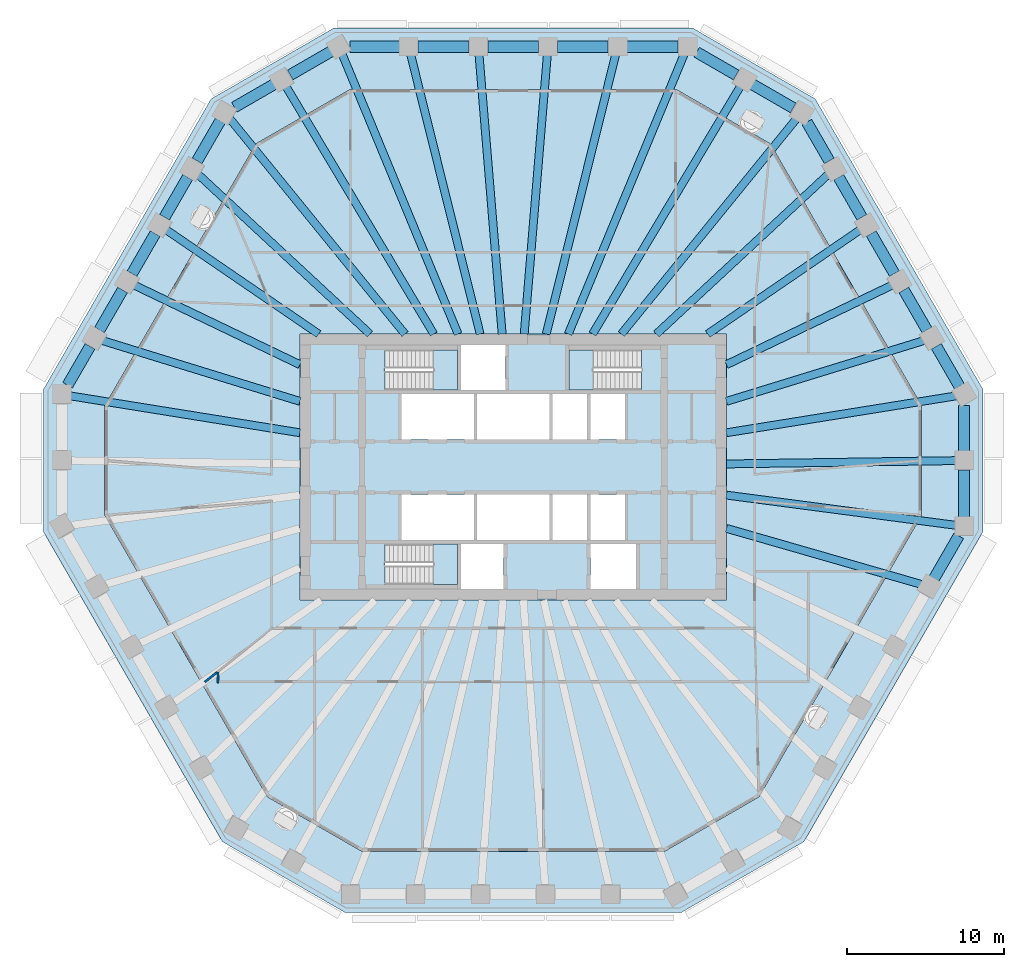
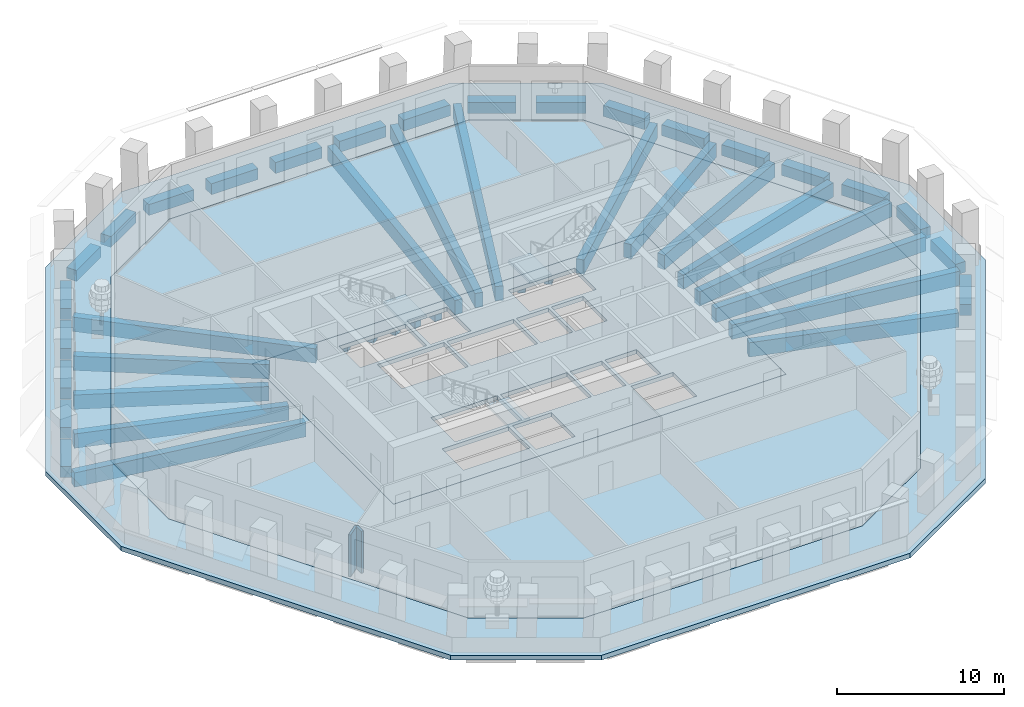
# One storey, part 2 of 12: 45 beams, 6 slabs, 2 walls, 3 elements without a shape of their own.
"""IFC4 building model written with IfcOpenShell, lengths in metres."""

from ifc_helpers import new_model, si_unit, direction, frame, frame_2d, origin, origin_2d, place, context, subcontext, project, spatial, polyline, rectangle, outline, extrude, material, layer, layer_set, material_profile, profile_set, type_object, element, aggregate, save


model = new_model("IFC4")

# Units and contexts
model_context = context("Model", 3, precision=1e-05, world=origin(), true_north=direction((0.0, 1.0)))
body_context = subcontext(model_context, "Body", "Model", "MODEL_VIEW")
ifc_project = project(units=[si_unit("LENGTHUNIT", "METRE"), si_unit("AREAUNIT", "SQUARE_METRE"), si_unit("VOLUMEUNIT", "CUBIC_METRE"), si_unit("PLANEANGLEUNIT", "RADIAN"), si_unit("MASSUNIT", "GRAM", prefix="KILO")], contexts=[model_context])

# Site, building, storey
site_placement = place(None, origin())
site = spatial("IfcSite", under=ifc_project, at=site_placement, CompositionType="ELEMENT")
building_placement = place(site_placement, origin())
building = spatial("IfcBuilding", under=site, at=building_placement, Name="Frailejon Research Tower", CompositionType="ELEMENT")
storey_placement = place(building_placement, frame((0.0, 0.0, 158.39990234375)))
storey = spatial("IfcBuildingStorey", under=building, at=storey_placement, Name="L34", CompositionType="ELEMENT", Elevation=158.39990234375)

# Beams
ifc_material_1 = material(Name="Concrete C60/75", Category="concrete")
ifc_material_profile_1 = material_profile(ifc_material_1, rectangle(XDim=0.5, YDim=1.050048828125, at=origin_2d()), Name="Girder 500x1050")
ifc_profile_set_1 = profile_set([ifc_material_profile_1], Name="Concrete C60/75")
beam_type_1 = type_object("IfcBeamType", Name="Girder 500x1050", PredefinedType="BEAM", material=ifc_profile_set_1)
beam_1_placement = place(storey_placement, frame((28.200927734375, -3.71337890625, -0.824951171875), z_axis=(-0.991441582167, 0.130551097855, 0.0), x_axis=(-0.130551097855, -0.991441582167, 0.0)))
element("IfcBeam", 1, at=beam_1_placement, inside=storey, type_object=beam_type_1, Name="Girder 500x1050", PredefinedType="BEAM", context=body_context, shape_type="SweptSolid", body=[
    extrude(rectangle(XDim=0.5, YDim=1.050048828125, at=origin_2d()), origin(), (0.0, 0.0, 1.0), 14.77734375),
])
beam_2_placement = place(storey_placement, frame((28.202392578125, 0.408203125, -0.824951171875), z_axis=(-0.999895429969, -0.014461297541, 0.0), x_axis=(0.014461297541, -0.999895429969, 0.0)))
element("IfcBeam", 2, at=beam_2_placement, inside=storey, type_object=beam_type_1, Name="Girder 500x1050", PredefinedType="BEAM", context=body_context, shape_type="SweptSolid", body=[
    extrude(rectangle(XDim=0.5, YDim=1.050048828125, at=origin_2d()), origin(), (0.0, 0.0, 1.0), 14.65380859375),
])
beam_3_placement = place(storey_placement, frame((28.16650390625, 4.5244140625, -0.824951171875), z_axis=(-0.98734277934, -0.158600870382, 0.0), x_axis=(0.158600870382, -0.98734277934, 0.0)))
element("IfcBeam", 3, at=beam_3_placement, inside=storey, type_object=beam_type_1, Name="Girder 500x1050", PredefinedType="BEAM", context=body_context, shape_type="SweptSolid", body=[
    extrude(rectangle(XDim=0.5, YDim=1.050048828125, at=origin_2d()), origin(), (0.0, 0.0, 1.0), 14.8037109375),
])
beam_4_placement = place(storey_placement, frame((26.139404296875, 8.04736328125, -0.824951171875), z_axis=(-0.955734515711, -0.294230412227, 0.0), x_axis=(0.294230412227, -0.955734515711, 0.0)))
element("IfcBeam", 4, at=beam_4_placement, inside=storey, type_object=beam_type_1, Name="Girder 500x1050", PredefinedType="BEAM", context=body_context, shape_type="SweptSolid", body=[
    extrude(rectangle(XDim=0.5, YDim=1.050048828125, at=origin_2d()), origin(), (0.0, 0.0, 1.0), 13.17236328125),
])
beam_5_placement = place(storey_placement, frame((24.10888671875, 11.57080078125, -0.824951171875), z_axis=(-0.901543549484, -0.432688373295, 0.0), x_axis=(0.432688373295, -0.901543549484, 0.0)))
element("IfcBeam", 5, at=beam_5_placement, inside=storey, type_object=beam_type_1, Name="Girder 500x1050", PredefinedType="BEAM", context=body_context, shape_type="SweptSolid", body=[
    extrude(rectangle(XDim=0.5, YDim=1.050048828125, at=origin_2d()), origin(), (0.0, 0.0, 1.0), 11.7119140625),
])
beam_6_placement = place(storey_placement, frame((22.0751953125, 15.093505859375, -0.824951171875), z_axis=(-0.825489860442, -0.564416947218, 0.0), x_axis=(0.564416947218, -0.825489860442, 0.0)))
element("IfcBeam", 6, at=beam_6_placement, inside=storey, type_object=beam_type_1, Name="Girder 500x1050", PredefinedType="BEAM", context=body_context, shape_type="SweptSolid", body=[
    extrude(rectangle(XDim=0.5, YDim=1.050048828125, at=origin_2d()), origin(), (0.0, 0.0, 1.0), 11.770751953125),
])
beam_7_placement = place(storey_placement, frame((20.038818359375, 18.613525390625, -0.824951171875), z_axis=(-0.732677610283, -0.680575873353, 0.0), x_axis=(0.680575873353, -0.732677610283, 0.0)))
element("IfcBeam", 7, at=beam_7_placement, inside=storey, type_object=beam_type_1, Name="Girder 500x1050", PredefinedType="BEAM", context=body_context, shape_type="SweptSolid", body=[
    extrude(rectangle(XDim=0.5, YDim=1.050048828125, at=origin_2d()), origin(), (0.0, 0.0, 1.0), 14.933837890625),
])
beam_8_placement = place(storey_placement, frame((18.023193359375, 22.1572265625, -0.824951171875), z_axis=(-0.631026870888, -0.775760973637, 0.0), x_axis=(0.775760973637, -0.631026870888, 0.0)))
element("IfcBeam", 8, at=beam_8_placement, inside=storey, type_object=beam_type_1, Name="Girder 500x1050", PredefinedType="BEAM", context=body_context, shape_type="SweptSolid", body=[
    extrude(rectangle(XDim=0.5, YDim=1.050048828125, at=origin_2d()), origin(), (0.0, 0.0, 1.0), 17.66943359375),
])
beam_9_placement = place(storey_placement, frame((14.45458984375, 24.2197265625, -0.824951171875), z_axis=(-0.512472846151, -0.858703430736, 0.0), x_axis=(0.858703430736, -0.512472846151, 0.0)))
element("IfcBeam", 9, at=beam_9_placement, inside=storey, type_object=beam_type_1, Name="Girder 500x1050", PredefinedType="BEAM", context=body_context, shape_type="SweptSolid", body=[
    extrude(rectangle(XDim=0.5, YDim=1.050048828125, at=origin_2d()), origin(), (0.0, 0.0, 1.0), 18.36474609375),
])
beam_10_placement = place(storey_placement, frame((10.867919921875, 26.238525390625, -0.824951171875), z_axis=(-0.382667970762, -0.923885936765, 0.0), x_axis=(0.923885936765, -0.382667970762, 0.0)))
element("IfcBeam", 10, at=beam_10_placement, inside=storey, type_object=beam_type_1, Name="Girder 500x1050", PredefinedType="BEAM", context=body_context, shape_type="SweptSolid", body=[
    extrude(rectangle(XDim=0.5, YDim=1.050048828125, at=origin_2d()), origin(), (0.0, 0.0, 1.0), 19.254150390625),
])
beam_11_placement = place(storey_placement, frame((6.5224609375, 26.24560546875, -0.824951171875), z_axis=(-0.241185182304, -0.97047911252, 0.0), x_axis=(0.97047911252, -0.241185182304, 0.0)))
element("IfcBeam", 11, at=beam_11_placement, inside=storey, type_object=beam_type_1, Name="Girder 500x1050", PredefinedType="BEAM", context=body_context, shape_type="SweptSolid", body=[
    extrude(rectangle(XDim=0.5, YDim=1.050048828125, at=origin_2d()), origin(), (0.0, 0.0, 1.0), 18.3369140625),
])
for number, where, z_axis, x_axis, name in (
    (12, (2.174560546875, 26.24951171875, -0.824951171875), (-0.08256242617, -0.996585894835, 0.0), (0.996585894835, -0.08256242617, 0.0), "Girder 500x1050"),
    (13, (-2.174560546875, 26.24951171875, -0.824951171875), (0.08256242617, -0.996585894835, 0.0), (0.996585894835, 0.08256242617, 0.0), "Girder 500x1050"),
):
    element("IfcBeam", number, at=place(storey_placement, frame(where, z_axis=z_axis, x_axis=x_axis)), inside=storey, type_object=beam_type_1, Name=name, PredefinedType="BEAM", context=body_context, shape_type="SweptSolid", body=[
        extrude(rectangle(XDim=0.5, YDim=1.050048828125, at=origin_2d()), origin(), (0.0, 0.0, 1.0), 17.860595703125),
    ])
beam_12_placement = place(storey_placement, frame((-6.5224609375, 26.24560546875, -0.824951171875), z_axis=(0.241185182304, -0.97047911252, 0.0), x_axis=(0.97047911252, 0.241185182304, 0.0)))
element("IfcBeam", 14, at=beam_12_placement, inside=storey, type_object=beam_type_1, Name="Girder 500x1050", PredefinedType="BEAM", context=body_context, shape_type="SweptSolid", body=[
    extrude(rectangle(XDim=0.5, YDim=1.050048828125, at=origin_2d()), origin(), (0.0, 0.0, 1.0), 18.3369140625),
])
beam_13_placement = place(storey_placement, frame((-10.884765625, 26.279541015625, -0.824951171875), z_axis=(0.382661658239, -0.923888551349, 0.0), x_axis=(0.923888551349, 0.382661658239, 0.0)))
element("IfcBeam", 15, at=beam_13_placement, inside=storey, type_object=beam_type_1, Name="Girder 500x1050", PredefinedType="BEAM", context=body_context, shape_type="SweptSolid", body=[
    extrude(rectangle(XDim=0.5, YDim=1.050048828125, at=origin_2d()), origin(), (0.0, 0.0, 1.0), 19.29833984375),
])
beam_14_placement = place(storey_placement, frame((-14.45458984375, 24.2197265625, -0.824951171875), z_axis=(0.512472846151, -0.858703430736, 0.0), x_axis=(0.858703430736, 0.512472846151, 0.0)))
element("IfcBeam", 16, at=beam_14_placement, inside=storey, type_object=beam_type_1, Name="Girder 500x1050", PredefinedType="BEAM", context=body_context, shape_type="SweptSolid", body=[
    extrude(rectangle(XDim=0.5, YDim=1.050048828125, at=origin_2d()), origin(), (0.0, 0.0, 1.0), 18.36474609375),
])
beam_15_placement = place(storey_placement, frame((-18.001220703125, 22.130615234375, -0.824951171875), z_axis=(0.631015738451, -0.775770028957, 0.0), x_axis=(0.775770028957, 0.631015738451, 0.0)))
element("IfcBeam", 17, at=beam_15_placement, inside=storey, type_object=beam_type_1, Name="Girder 500x1050", PredefinedType="BEAM", context=body_context, shape_type="SweptSolid", body=[
    extrude(rectangle(XDim=0.5, YDim=1.050048828125, at=origin_2d()), origin(), (0.0, 0.0, 1.0), 17.635009765625),
])
beam_16_placement = place(storey_placement, frame((-20.038818359375, 18.613525390625, -0.824951171875), z_axis=(0.732677610283, -0.680575873353, 0.0), x_axis=(0.680575873353, 0.732677610283, 0.0)))
element("IfcBeam", 18, at=beam_16_placement, inside=storey, type_object=beam_type_1, Name="Girder 500x1050", PredefinedType="BEAM", context=body_context, shape_type="SweptSolid", body=[
    extrude(rectangle(XDim=0.5, YDim=1.050048828125, at=origin_2d()), origin(), (0.0, 0.0, 1.0), 14.933837890625),
])
beam_17_placement = place(storey_placement, frame((-22.0751953125, 15.093505859375, -0.824951171875), z_axis=(0.825489860442, -0.564416947218, 0.0), x_axis=(0.564416947218, 0.825489860442, 0.0)))
element("IfcBeam", 19, at=beam_17_placement, inside=storey, type_object=beam_type_1, Name="Girder 500x1050", PredefinedType="BEAM", context=body_context, shape_type="SweptSolid", body=[
    extrude(rectangle(XDim=0.5, YDim=1.050048828125, at=origin_2d()), origin(), (0.0, 0.0, 1.0), 11.770751953125),
])
beam_18_placement = place(storey_placement, frame((-24.10888671875, 11.57080078125, -0.824951171875), z_axis=(0.901543549484, -0.432688373295, 0.0), x_axis=(0.432688373295, 0.901543549484, 0.0)))
element("IfcBeam", 20, at=beam_18_placement, inside=storey, type_object=beam_type_1, Name="Girder 500x1050", PredefinedType="BEAM", context=body_context, shape_type="SweptSolid", body=[
    extrude(rectangle(XDim=0.5, YDim=1.050048828125, at=origin_2d()), origin(), (0.0, 0.0, 1.0), 11.7119140625),
])
beam_19_placement = place(storey_placement, frame((-26.139404296875, 8.04736328125, -0.824951171875), z_axis=(0.955734515711, -0.294230412227, 0.0), x_axis=(0.294230412227, 0.955734515711, 0.0)))
element("IfcBeam", 21, at=beam_19_placement, inside=storey, type_object=beam_type_1, Name="Girder 500x1050", PredefinedType="BEAM", context=body_context, shape_type="SweptSolid", body=[
    extrude(rectangle(XDim=0.5, YDim=1.050048828125, at=origin_2d()), origin(), (0.0, 0.0, 1.0), 13.17236328125),
])
beam_20_placement = place(storey_placement, frame((-28.200439453125, 4.52978515625, -0.824951171875), z_axis=(0.987343624765, -0.158595607238, 0.0), x_axis=(0.158595607238, 0.987343624765, 0.0)))
element("IfcBeam", 22, at=beam_20_placement, inside=storey, type_object=beam_type_1, Name="Girder 500x1050", PredefinedType="BEAM", context=body_context, shape_type="SweptSolid", body=[
    extrude(rectangle(XDim=0.5, YDim=1.050048828125, at=origin_2d()), origin(), (0.0, 0.0, 1.0), 14.838134765625),
])
beam_21_placement = place(storey_placement, frame((25.990478515625, -7.47412109375, -0.824951171875), z_axis=(-0.961048516435, 0.27637971897, 0.0), x_axis=(-0.27637971897, -0.961048516435, 0.0)))
element("IfcBeam", 23, at=beam_21_placement, inside=storey, type_object=beam_type_1, Name="Girder 500x1050", PredefinedType="BEAM", context=body_context, shape_type="SweptSolid", body=[
    extrude(rectangle(XDim=0.5, YDim=1.050048828125, at=origin_2d()), origin(), (0.0, 0.0, 1.0), 12.944580078125),
])
ifc_material_2 = material(Name="Concrete C60/75", Category="concrete")
ifc_material_profile_2 = material_profile(ifc_material_2, rectangle(XDim=0.699951171875, YDim=0.800048828125, at=origin_2d()), Name="Spandrel 700x800")
ifc_profile_set_2 = profile_set([ifc_material_profile_2], Name="Concrete C60/75")
beam_type_2 = type_object("IfcBeamType", Name="Spandrel 700x800", PredefinedType="BEAM", material=ifc_profile_set_2)
beam_22_placement = place(storey_placement, frame((28.65234375, -3.172607421875, -0.75), z_axis=(0.0, 1.0, 0.0), x_axis=(-1.0, 0.0, 0.0)))
element("IfcBeam", 24, at=beam_22_placement, inside=storey, type_object=beam_type_2, Name="Spandrel 700x800", PredefinedType="BEAM", context=body_context, shape_type="SweptSolid", body=[
    extrude(rectangle(XDim=0.699951171875, YDim=0.800048828125, at=origin_2d()), origin(), (0.0, 0.0, 1.0), 2.9873046875),
])
beam_23_placement = place(storey_placement, frame((28.65234375, 1.014892578125, -0.75), z_axis=(0.0, 1.0, 0.0), x_axis=(-1.0, 0.0, 0.0)))
element("IfcBeam", 25, at=beam_23_placement, inside=storey, type_object=beam_type_2, Name="Spandrel 700x800", PredefinedType="BEAM", context=body_context, shape_type="SweptSolid", body=[
    extrude(rectangle(XDim=0.699951171875, YDim=0.800048828125, at=origin_2d()), origin(), (0.0, 0.0, 1.0), 2.894775390625),
])
for number, where, z_axis, x_axis, name in (
    (26, (28.352294921875, 5.1220703125, -0.75), (-0.499993573143, 0.8660291143, 0.0), (-0.8660291143, -0.499993573143, 0.0), "Spandrel 700x800"),
    (27, (26.2841796875, 8.7041015625, -0.75), (-0.499993573143, 0.8660291143, 0.0), (-0.8660291143, -0.499993573143, 0.0), "Spandrel 700x800"),
):
    element("IfcBeam", number, at=place(storey_placement, frame(where, z_axis=z_axis, x_axis=x_axis)), inside=storey, type_object=beam_type_2, Name=name, PredefinedType="BEAM", context=body_context, shape_type="SweptSolid", body=[
        extrude(rectangle(XDim=0.699951171875, YDim=0.800048828125, at=origin_2d()), origin(), (0.0, 0.0, 1.0), 2.93603515625),
    ])
for number, where, z_axis, x_axis, name in (
    (28, (24.21630859375, 12.285888671875, -0.75), (-0.50001992892, 0.866013897511, 0.0), (-0.866013897511, -0.50001992892, 0.0), "Spandrel 700x800"),
    (29, (22.148193359375, 15.867919921875, -0.75), (-0.50001992892, 0.866013897511, 0.0), (-0.866013897511, -0.50001992892, 0.0), "Spandrel 700x800"),
):
    element("IfcBeam", number, at=place(storey_placement, frame(where, z_axis=z_axis, x_axis=x_axis)), inside=storey, type_object=beam_type_2, Name=name, PredefinedType="BEAM", context=body_context, shape_type="SweptSolid", body=[
        extrude(rectangle(XDim=0.699951171875, YDim=0.800048828125, at=origin_2d()), origin(), (0.0, 0.0, 1.0), 2.9365234375),
    ])
beam_24_placement = place(storey_placement, frame((20.080078125, 19.449951171875, -0.75), z_axis=(-0.500054425327, 0.865993979027, 0.0), x_axis=(-0.865993979027, -0.500054425327, 0.0)))
element("IfcBeam", 30, at=beam_24_placement, inside=storey, type_object=beam_type_2, Name="Spandrel 700x800", PredefinedType="BEAM", context=body_context, shape_type="SweptSolid", body=[
    extrude(rectangle(XDim=0.699951171875, YDim=0.800048828125, at=origin_2d()), origin(), (0.0, 0.0, 1.0), 2.843505859375),
])
beam_25_placement = place(storey_placement, frame((17.792236328125, 22.8125, -0.75), z_axis=(-0.86603180189, 0.499988917992, 0.0), x_axis=(-0.499988917992, -0.86603180189, 0.0)))
element("IfcBeam", 31, at=beam_25_placement, inside=storey, type_object=beam_type_2, Name="Spandrel 700x800", PredefinedType="BEAM", context=body_context, shape_type="SweptSolid", body=[
    extrude(rectangle(XDim=0.699951171875, YDim=0.800048828125, at=origin_2d()), origin(), (0.0, 0.0, 1.0), 2.9873046875),
])
beam_26_placement = place(storey_placement, frame((14.165771484375, 24.90625, -0.75), z_axis=(-0.866033897268, 0.499985288567, 0.0), x_axis=(-0.499985288567, -0.866033897268, 0.0)))
element("IfcBeam", 32, at=beam_26_placement, inside=storey, type_object=beam_type_2, Name="Spandrel 700x800", PredefinedType="BEAM", context=body_context, shape_type="SweptSolid", body=[
    extrude(rectangle(XDim=0.699951171875, YDim=0.800048828125, at=origin_2d()), origin(), (0.0, 0.0, 1.0), 2.89453125),
])
for number, where, z_axis, x_axis, name in (
    (33, (10.458984375, 26.699951171875, -0.75), (-1.0, 0.0, 0.0), (0.0, -1.0, 0.0), "Spandrel 700x800"),
    (34, (6.035400390625, 26.699951171875, -0.75), (-1.0, 0.0, 0.0), (0.0, -1.0, 0.0), "Spandrel 700x800"),
    (35, (1.61181640625, 26.699951171875, -0.75), (-1.0, 0.0, 0.0), (0.0, -1.0, 0.0), "Spandrel 700x800"),
    (36, (-2.811767578125, 26.699951171875, -0.75), (-1.0, 0.0, 0.0), (0.0, -1.0, 0.0), "Spandrel 700x800"),
):
    element("IfcBeam", number, at=place(storey_placement, frame(where, z_axis=z_axis, x_axis=x_axis)), inside=storey, type_object=beam_type_2, Name=name, PredefinedType="BEAM", context=body_context, shape_type="SweptSolid", body=[
        extrude(rectangle(XDim=0.699951171875, YDim=0.800048828125, at=origin_2d()), origin(), (0.0, 0.0, 1.0), 3.2236328125),
    ])
beam_27_placement = place(storey_placement, frame((-7.2353515625, 26.699951171875, -0.75), z_axis=(-1.0, 0.0, 0.0), x_axis=(0.0, -1.0, 0.0)))
element("IfcBeam", 37, at=beam_27_placement, inside=storey, type_object=beam_type_2, Name="Spandrel 700x800", PredefinedType="BEAM", context=body_context, shape_type="SweptSolid", body=[
    extrude(rectangle(XDim=0.699951171875, YDim=0.800048828125, at=origin_2d()), origin(), (0.0, 0.0, 1.0), 3.130859375),
])
beam_28_placement = place(storey_placement, frame((-11.57861328125, 26.39990234375, -0.75), z_axis=(-0.86603180189, -0.499988917992, 0.0), x_axis=(0.499988917992, -0.86603180189, 0.0)))
element("IfcBeam", 38, at=beam_28_placement, inside=storey, type_object=beam_type_2, Name="Spandrel 700x800", PredefinedType="BEAM", context=body_context, shape_type="SweptSolid", body=[
    extrude(rectangle(XDim=0.699951171875, YDim=0.800048828125, at=origin_2d()), origin(), (0.0, 0.0, 1.0), 2.9873046875),
])
beam_29_placement = place(storey_placement, frame((-15.205078125, 24.30615234375, -0.75), z_axis=(-0.866033897268, -0.499985288567, 0.0), x_axis=(0.499985288567, -0.866033897268, 0.0)))
element("IfcBeam", 39, at=beam_29_placement, inside=storey, type_object=beam_type_2, Name="Spandrel 700x800", PredefinedType="BEAM", context=body_context, shape_type="SweptSolid", body=[
    extrude(rectangle(XDim=0.699951171875, YDim=0.800048828125, at=origin_2d()), origin(), (0.0, 0.0, 1.0), 2.89453125),
])
for number, where, z_axis, x_axis, name in (
    (40, (-18.61181640625, 21.992919921875, -0.75), (-0.50001992892, -0.866013897511, 0.0), (0.866013897511, -0.50001992892, 0.0), "Spandrel 700x800"),
    (41, (-20.679931640625, 18.410888671875, -0.75), (-0.50001992892, -0.866013897511, 0.0), (0.866013897511, -0.50001992892, 0.0), "Spandrel 700x800"),
    (42, (-22.748046875, 14.828857421875, -0.75), (-0.50001992892, -0.866013897511, 0.0), (0.866013897511, -0.50001992892, 0.0), "Spandrel 700x800"),
):
    element("IfcBeam", number, at=place(storey_placement, frame(where, z_axis=z_axis, x_axis=x_axis)), inside=storey, type_object=beam_type_2, Name=name, PredefinedType="BEAM", context=body_context, shape_type="SweptSolid", body=[
        extrude(rectangle(XDim=0.699951171875, YDim=0.800048828125, at=origin_2d()), origin(), (0.0, 0.0, 1.0), 2.9365234375),
    ])
beam_30_placement = place(storey_placement, frame((-24.816162109375, 11.246826171875, -0.75), z_axis=(-0.499993573143, -0.8660291143, 0.0), x_axis=(0.8660291143, -0.499993573143, 0.0)))
element("IfcBeam", 43, at=beam_30_placement, inside=storey, type_object=beam_type_2, Name="Spandrel 700x800", PredefinedType="BEAM", context=body_context, shape_type="SweptSolid", body=[
    extrude(rectangle(XDim=0.699951171875, YDim=0.800048828125, at=origin_2d()), origin(), (0.0, 0.0, 1.0), 2.93603515625),
])
beam_31_placement = place(storey_placement, frame((-26.88427734375, 7.664794921875, -0.75), z_axis=(-0.499990030109, -0.866031159827, 0.0), x_axis=(0.866031159827, -0.499990030109, 0.0)))
element("IfcBeam", 44, at=beam_31_placement, inside=storey, type_object=beam_type_2, Name="Spandrel 700x800", PredefinedType="BEAM", context=body_context, shape_type="SweptSolid", body=[
    extrude(rectangle(XDim=0.699951171875, YDim=0.800048828125, at=origin_2d()), origin(), (0.0, 0.0, 1.0), 2.84326171875),
])
beam_32_placement = place(storey_placement, frame((26.740478515625, -7.083984375, -0.75), z_axis=(0.500030720965, 0.8660076663, 0.0), x_axis=(-0.8660076663, 0.500030720965, 0.0)))
element("IfcBeam", 45, at=beam_32_placement, inside=storey, type_object=beam_type_2, Name="Spandrel 700x800", PredefinedType="BEAM", context=body_context, shape_type="SweptSolid", body=[
    extrude(rectangle(XDim=0.699951171875, YDim=0.800048828125, at=origin_2d()), origin(), (0.0, 0.0, 1.0), 3.130615234375),
])

# Slabs
ifc_material_3 = material(Name="Concrete C60/75", Category="concrete")
ifc_layer_1 = layer(ifc_material_3, 0.300048828125)
ifc_layer_set_1 = layer_set([ifc_layer_1], Name="Core floor slab 300 C60/75")
slab_type_1 = type_object("IfcSlabType", Name="Core floor slab 300 C60/75", PredefinedType="FLOOR", material=ifc_layer_set_1)
slab_1_placement = place(storey_placement, frame((0.0, 0.0, -0.2998046875)))
element("IfcSlab", 46, at=slab_1_placement, inside=storey, type_object=slab_type_1, Name="Core floor slab", PredefinedType="FLOOR", context=body_context, shape_type="SweptSolid", body=[
    extrude(outline(polyline([(13.550048828125, -8.449951171875), (13.550048828125, 8.449951171875), (-13.550048828125, 8.449951171875), (-13.550048828125, -8.449951171875), (13.550048828125, -8.449951171875)]), holes=[polyline([(-2.5, 1.75), (-2.5, 4.64990234375), (-7.10009765625, 4.64990234375), (-7.10009765625, 1.75), (-2.5, 1.75)]), polyline([(2.300048828125, 1.75), (2.300048828125, 4.64990234375), (-2.300048828125, 4.64990234375), (-2.300048828125, 1.75), (2.300048828125, 1.75)]), polyline([(4.699951171875, 1.75), (4.699951171875, 4.64990234375), (2.5, 4.64990234375), (2.5, 1.75), (4.699951171875, 1.75)]), polyline([(7.10009765625, 1.75), (7.10009765625, 4.64990234375), (4.89990234375, 4.64990234375), (4.89990234375, 1.75), (7.10009765625, 1.75)]), polyline([(-2.5, -4.64990234375), (-2.5, -1.75), (-7.10009765625, -1.75), (-7.10009765625, -4.64990234375), (-2.5, -4.64990234375)]), polyline([(2.300048828125, -4.64990234375), (2.300048828125, -1.75), (-2.300048828125, -1.75), (-2.300048828125, -4.64990234375), (2.300048828125, -4.64990234375)]), polyline([(4.699951171875, -4.64990234375), (4.699951171875, -1.75), (2.5, -1.75), (2.5, -4.64990234375), (4.699951171875, -4.64990234375)]), polyline([(7.10009765625, -4.64990234375), (7.10009765625, -1.75), (4.89990234375, -1.75), (4.89990234375, -4.64990234375), (7.10009765625, -4.64990234375)]), polyline([(-8.14697265625, 4.89990234375), (-3.550048828125, 4.89990234375), (-3.550048828125, 7.449951171875), (-8.14697265625, 7.449951171875), (-8.14697265625, 4.89990234375)]), polyline([(-8.14697265625, -7.449951171875), (-3.550048828125, -7.449951171875), (-3.550048828125, -4.89990234375), (-8.14697265625, -4.89990234375), (-8.14697265625, -7.449951171875)]), polyline([(8.14697265625, 7.449951171875), (3.550048828125, 7.449951171875), (3.550048828125, 4.89990234375), (8.14697265625, 4.89990234375), (8.14697265625, 7.449951171875)]), polyline([(-0.60009765625, -7.75), (-0.60009765625, -4.89990234375), (-3.300048828125, -4.89990234375), (-3.300048828125, -7.75), (-0.60009765625, -7.75)]), polyline([(7.800048828125, -7.75), (7.800048828125, -4.89990234375), (4.89990234375, -4.89990234375), (4.89990234375, -7.75), (7.800048828125, -7.75)]), polyline([(-0.5, 4.89990234375), (-0.5, 7.75), (-3.300048828125, 7.75), (-3.300048828125, 4.89990234375), (-0.5, 4.89990234375)])]), origin(), (0.0, 0.0, 1.0), 0.2998046875),
])
ifc_material_4 = material(Name="Concrete C40/50", Category="concrete")
ifc_layer_2 = layer(ifc_material_4, 0.35009765625)
ifc_layer_set_2 = layer_set([ifc_layer_2], Name="Loggia slab 350")
slab_type_2 = type_object("IfcSlabType", Name="Loggia slab 350", PredefinedType="USERDEFINED", material=ifc_layer_set_2)
slab_2_placement = place(storey_placement, frame((0.0, 0.0, -0.349853515625)))
element("IfcSlab", 47, at=slab_2_placement, inside=storey, type_object=slab_type_2, Name="Loggia slab L34", ObjectType="LOGGIA", PredefinedType="USERDEFINED", context=body_context, shape_type="SweptSolid", body=[
    extrude(outline(polyline([(18.471923828125, -23.8056640625), (10.661865234375, -28.314697265625), (-10.661865234375, -28.314697265625), (-18.471923828125, -23.8056640625), (-29.852294921875, -4.09423828125), (-29.852294921875, 4.923828125), (-19.1904296875, 23.390869140625), (-11.38037109375, 27.89990234375), (11.38037109375, 27.89990234375), (19.1904296875, 23.390869140625), (29.852294921875, 4.923828125), (29.852294921875, -4.09423828125), (18.471923828125, -23.8056640625)]), holes=[polyline([(25.952392578125, 3.87890625), (16.33544921875, 20.535888671875), (10.33544921875, 24.0), (-10.33544921875, 24.0), (-16.33544921875, 20.535888671875), (-25.952392578125, 3.87890625), (-25.952392578125, -3.04931640625), (-15.616943359375, -20.95068359375), (-9.616943359375, -24.414794921875), (9.616943359375, -24.414794921875), (15.616943359375, -20.95068359375), (25.952392578125, -3.04931640625), (25.952392578125, 3.87890625)])]), origin(), (0.0, 0.0, 1.0), 0.349853515625),
])
ifc_material_5 = material(Name="Concrete C40/50", Category="concrete")
ifc_layer_3 = layer(ifc_material_5, 0.300048828125)
ifc_layer_set_3 = layer_set([ifc_layer_3], Name="Slab typical 300")
slab_type_3 = type_object("IfcSlabType", Name="Slab typical 300", PredefinedType="FLOOR", material=ifc_layer_set_3)
slab_3_placement = place(storey_placement, frame((0.0, 0.0, -0.2998046875)))
element("IfcSlab", 48, at=slab_3_placement, inside=storey, type_object=slab_type_3, Name="Floor slab L34", PredefinedType="FLOOR", context=body_context, shape_type="SweptSolid", body=[
    extrude(outline(polyline([(25.952392578125, -3.04931640625), (25.952392578125, 3.87890625), (16.33544921875, 20.535888671875), (10.33544921875, 24.0), (-10.33544921875, 24.0), (-16.33544921875, 20.535888671875), (-25.952392578125, 3.87890625), (-25.952392578125, -3.04931640625), (-15.616943359375, -20.95068359375), (-9.616943359375, -24.414794921875), (9.616943359375, -24.414794921875), (15.616943359375, -20.95068359375), (25.952392578125, -3.04931640625)]), holes=[polyline([(13.550048828125, -8.449951171875), (-13.550048828125, -8.449951171875), (-13.550048828125, 8.449951171875), (13.550048828125, 8.449951171875), (13.550048828125, -8.449951171875)])]), origin(), (0.0, 0.0, 1.0), 0.2998046875),
])

# Stair, slab
ifc_material_6 = material(Name="Concrete C50/60", Category="concrete")
stair_type = type_object("IfcStairType", Name="Exit stair 24 risers", PredefinedType="HALF_TURN_STAIR", material=ifc_material_6)
stair_1_placement = place(storey_placement, origin())
stair_1 = element("IfcStair", 49, at=stair_1_placement, inside=storey, type_object=stair_type, Name="L34 Exit stair ST1", PredefinedType="HALF_TURN_STAIR")
ifc_material_7 = material(Name="Concrete C50/60", Category="concrete")
ifc_layer_4 = layer(ifc_material_7, 0.199951171875)
ifc_layer_set_4 = layer_set([ifc_layer_4], Name="Stair landing slab 200")
slab_type_4 = type_object("IfcSlabType", Name="Stair landing slab 200", PredefinedType="LANDING", material=ifc_layer_set_4)
slab_4_placement = place(storey_placement, frame((0.0, 0.0, 2.0)))
slab_4 = element("IfcSlab", 50, at=slab_4_placement, type_object=slab_type_4, Name="ST1 landing 1", PredefinedType="LANDING", context=body_context, shape_type="SweptSolid", body=[
    extrude(outline(polyline([(-5.070068359375, 4.89990234375), (-3.550048828125, 4.89990234375), (-3.550048828125, 7.449951171875), (-5.070068359375, 7.449951171875), (-5.070068359375, 4.89990234375)])), origin(), (0.0, 0.0, 1.0), 0.2001953125),
])
aggregate(stair_1, [slab_4])

stair_2_placement = place(storey_placement, origin())
stair_2 = element("IfcStair", 51, at=stair_2_placement, inside=storey, type_object=stair_type, Name="L34 Exit stair ST2", PredefinedType="HALF_TURN_STAIR")
slab_5_placement = place(storey_placement, frame((0.0, 0.0, 2.0)))
slab_5 = element("IfcSlab", 52, at=slab_5_placement, type_object=slab_type_4, Name="ST2 landing 1", PredefinedType="LANDING", context=body_context, shape_type="SweptSolid", body=[
    extrude(outline(polyline([(-5.070068359375, -7.449951171875), (-3.550048828125, -7.449951171875), (-3.550048828125, -4.89990234375), (-5.070068359375, -4.89990234375), (-5.070068359375, -7.449951171875)])), origin(), (0.0, 0.0, 1.0), 0.2001953125),
])
aggregate(stair_2, [slab_5])

stair_3_placement = place(storey_placement, origin())
stair_3 = element("IfcStair", 53, at=stair_3_placement, inside=storey, type_object=stair_type, Name="L34 Exit stair ST3", PredefinedType="HALF_TURN_STAIR")
slab_6_placement = place(storey_placement, frame((0.0, 0.0, 2.0)))
slab_6 = element("IfcSlab", 54, at=slab_6_placement, type_object=slab_type_4, Name="ST3 landing 1", PredefinedType="LANDING", context=body_context, shape_type="SweptSolid", body=[
    extrude(outline(polyline([(5.070068359375, 7.449951171875), (3.550048828125, 7.449951171875), (3.550048828125, 4.89990234375), (5.070068359375, 4.89990234375), (5.070068359375, 7.449951171875)])), origin(), (0.0, 0.0, 1.0), 0.2001953125),
])
aggregate(stair_3, [slab_6])

# Walls
ifc_material_8 = material(Name="Gypsum board and masonry partition", Category="masonry")
ifc_layer_5 = layer(ifc_material_8, 0.14990234375)
ifc_layer_set_5 = layer_set([ifc_layer_5], Name="Laboratory partition, blockwork 150")
wall_type = type_object("IfcWallType", Name="Laboratory partition, blockwork 150", PredefinedType="PARTITIONING", material=ifc_layer_set_5)
wall_1_placement = place(storey_placement, frame((-19.593505859375, -13.663330078125, 0.0), z_axis=(0.0, 0.0, 1.0), x_axis=(0.77930605939, 0.626643491786, 0.0)))
element("IfcWall", 55, at=wall_1_placement, inside=storey, type_object=wall_type, Name="T:IW:L34:021", PredefinedType="PARTITIONING", context=body_context, shape_type="SweptSolid", body=[
    extrude(rectangle(XDim=1.007568359375, YDim=0.14990234375, at=frame_2d((0.50390625, 0.0))), origin(), (0.0, 0.0, 1.0), 3.050048828125),
])
wall_2_placement = place(storey_placement, frame((-18.75, -13.72509765625, 0.0), z_axis=(0.0, 0.0, 1.0), x_axis=(0.0, 1.0, 0.0)))
element("IfcWall", 56, at=wall_2_placement, inside=storey, type_object=wall_type, Name="T:IW:L34:024", PredefinedType="PARTITIONING", context=body_context, shape_type="SweptSolid", body=[
    extrude(rectangle(XDim=0.690185546875, YDim=0.14990234375, at=frame_2d((0.34521484375, 0.0))), origin(), (0.0, 0.0, 1.0), 3.050048828125),
])

save(model, "model.ifc")
